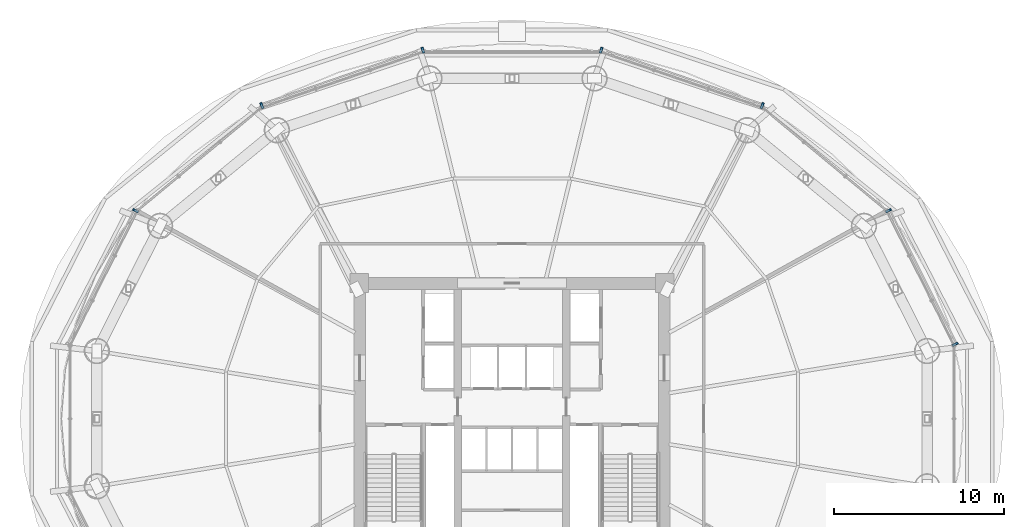
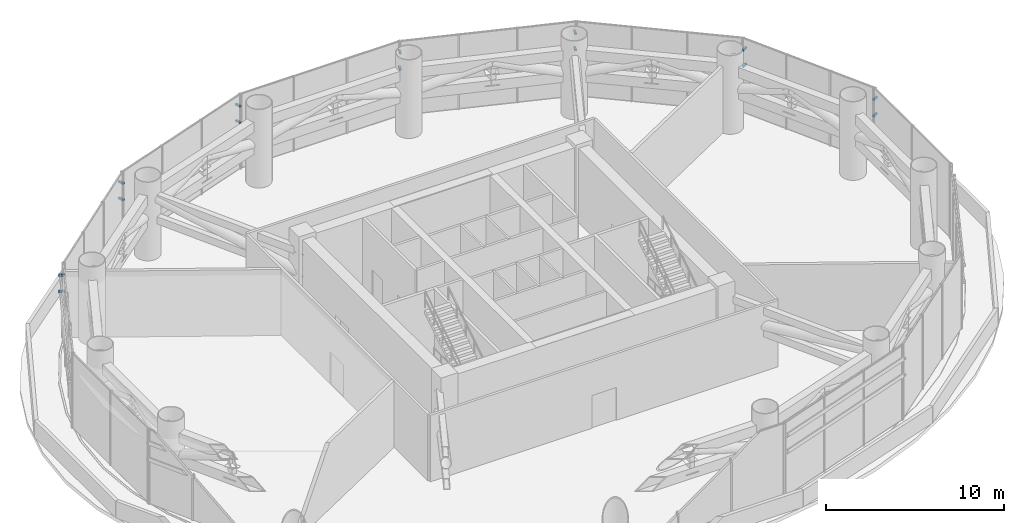
# One storey, part 30 of 33: 14 discrete accessories.
"""IFC4 building model written with IfcOpenShell, lengths in metres."""

import ifcopenshell
import ifcopenshell.guid

model = None  # the IFC model being written
_history = None  # IfcOwnerHistory: only IFC2X3 demands one
_inside = {}  # id of a spatial element -> (the spatial element, [elements in it])
_under = {}  # id of a project, library or spatial element -> (it, [spatial elements below it])
_declared = {}  # id of a project -> (the project, [libraries it declares])
_typed = {}  # id of a type object -> (the type object, [elements of that type])
_made_of = {}  # id of a material, layer set ... -> (it, [elements and type objects made of it])


def new_model(schema):
    """Start an empty IFC model of exactly this schema.

    Asked for "IFC4X3", IfcOpenShell would pick the latest addendum, in which some entities
    have other attributes; the version numbers below select the first issue.
    IFC2X3 requires an IfcOwnerHistory on every rooted entity: one is made here for all.
    """
    global model, _history
    if schema == "IFC4X3":
        model = ifcopenshell.file(schema_version=(4, 3, 0, 0))
    else:
        model = ifcopenshell.file(schema=schema)
    _inside.clear()
    _under.clear()
    _declared.clear()
    _typed.clear()
    _made_of.clear()
    _history = None
    if model.schema == "IFC2X3":
        org = make("IfcOrganization", Name="unknown")
        user = make(
            "IfcPersonAndOrganization",
            ThePerson=make("IfcPerson", FamilyName="unknown"),
            TheOrganization=org,
        )
        app = make(
            "IfcApplication",
            ApplicationDeveloper=org,
            Version="unknown",
            ApplicationFullName="unknown",
            ApplicationIdentifier="unknown",
        )
        _history = make(
            "IfcOwnerHistory",
            OwningUser=user,
            OwningApplication=app,
            ChangeAction="ADDED",
            CreationDate=0,
        )
    return model


def make(cls, **values):
    """One entity of the class cls with the attributes given. An attribute that is None is left unset."""
    return model.create_entity(
        cls, **{name: value for name, value in values.items() if value is not None}
    )


def rooted(cls, **values):
    """An entity with a GlobalId (a new one), such as an element, a storey or a relation."""
    return make(cls, GlobalId=ifcopenshell.guid.new(), OwnerHistory=_history, **values)


def si_unit(unit_type, name, prefix=None):
    """IfcSIUnit, for example si_unit("LENGTHUNIT", "METRE", prefix="MILLI")."""
    return make("IfcSIUnit", UnitType=unit_type, Prefix=prefix, Name=name)


def assignment(units):
    """IfcUnitAssignment: the units of a project."""
    return None if units is None else make("IfcUnitAssignment", Units=units)


def point(xyz):
    """IfcCartesianPoint."""
    return None if xyz is None else make("IfcCartesianPoint", Coordinates=xyz)


def direction(xyz):
    """IfcDirection."""
    return None if xyz is None else make("IfcDirection", DirectionRatios=xyz)


def frame(location, z_axis=None, x_axis=None):
    """IfcAxis2Placement3D, a coordinate frame: its origin and axes. An axis left out is left unset."""
    return make(
        "IfcAxis2Placement3D",
        Location=point(location),
        Axis=direction(z_axis),
        RefDirection=direction(x_axis),
    )


def frame_2d(location, x_axis=None):
    """IfcAxis2Placement2D, a coordinate frame in the plane: its origin and x axis."""
    return make(
        "IfcAxis2Placement2D", Location=point(location), RefDirection=direction(x_axis)
    )


def origin():
    """The frame at (0, 0, 0) with its axes left unset."""
    return frame((0.0, 0.0, 0.0))


def origin_2d():
    """The frame at (0, 0) in the plane with its x axis left unset."""
    return frame_2d((0.0, 0.0))


def place(relative_to, where):
    """IfcLocalPlacement: puts the frame where relative to a parent placement (None: the world)."""
    return make(
        "IfcLocalPlacement", PlacementRelTo=relative_to, RelativePlacement=where
    )


def context(
    kind, dimensions, precision=None, world=None, true_north=None, identifier=None
):
    """IfcGeometricRepresentationContext, for example the 3D "Model" context."""
    return make(
        "IfcGeometricRepresentationContext",
        ContextIdentifier=identifier,
        ContextType=kind,
        CoordinateSpaceDimension=dimensions,
        Precision=precision,
        WorldCoordinateSystem=world,
        TrueNorth=true_north,
    )


def subcontext(parent, identifier, kind, view, scale=None):
    """IfcGeometricRepresentationSubContext, for example "Body" below "Model"."""
    return make(
        "IfcGeometricRepresentationSubContext",
        ContextIdentifier=identifier,
        ContextType=kind,
        ParentContext=parent,
        TargetScale=scale,
        TargetView=view,
    )


def project(units=None, contexts=None):
    """IfcProject with its units and contexts."""
    return rooted(
        "IfcProject",
        Name="project",
        RepresentationContexts=contexts,
        UnitsInContext=assignment(units),
    )


def spatial(cls, under=None, at=None, **own):
    """A site, building, storey or space (cls), placed at a placement, below another one or the project."""
    s = rooted(cls, ObjectPlacement=at, **own)
    if under is not None:
        _under.setdefault(under.id(), (under, []))[1].append(s)
    return s


def profile(cls, at=None, kind="AREA", **sizes):
    """A parametric profile (cls). Its sizes go by their IFC names, for example OverallWidth=200.0."""
    return make(cls, ProfileType=kind, Position=at, **sizes)


def rectangle(**sizes):
    """IfcRectangleProfileDef."""
    return profile("IfcRectangleProfileDef", **sizes)


def extrude(swept, where, along, depth):
    """IfcExtrudedAreaSolid: the profile swept, set in the frame where, extruded along a direction by depth."""
    return make(
        "IfcExtrudedAreaSolid",
        SweptArea=swept,
        Position=where,
        ExtrudedDirection=direction(along),
        Depth=depth,
    )


def shape(context_of_items, identifier, shape_type, items):
    """IfcShapeRepresentation: the items that make up one representation, for example the "Body"."""
    return make(
        "IfcShapeRepresentation",
        ContextOfItems=context_of_items,
        RepresentationIdentifier=identifier,
        RepresentationType=shape_type,
        Items=items,
    )


def source(mapping_origin, context_of_items, identifier, shape_type, items):
    """IfcRepresentationMap: a shape defined once, which mapped items show again and again."""
    return make(
        "IfcRepresentationMap",
        MappingOrigin=mapping_origin,
        MappedRepresentation=shape(context_of_items, identifier, shape_type, items),
    )


def transform(
    local_origin,
    x_axis=None,
    y_axis=None,
    z_axis=None,
    scale=None,
    scale2=None,
    scale3=None,
    uniform=True,
):
    """IfcCartesianTransformationOperator3D, or its non-uniform kind. x_axis, y_axis, z_axis: its Axis1, 2, 3."""
    if uniform:
        return make(
            "IfcCartesianTransformationOperator3D",
            Axis1=direction(x_axis),
            Axis2=direction(y_axis),
            LocalOrigin=point(local_origin),
            Scale=scale,
            Axis3=direction(z_axis),
        )
    return make(
        "IfcCartesianTransformationOperator3DnonUniform",
        Axis1=direction(x_axis),
        Axis2=direction(y_axis),
        LocalOrigin=point(local_origin),
        Scale=scale,
        Axis3=direction(z_axis),
        Scale2=scale2,
        Scale3=scale3,
    )


def mapped(mapping_source, mapping_target):
    """IfcMappedItem: shows the shape of a source again, moved by a transform."""
    return make(
        "IfcMappedItem", MappingSource=mapping_source, MappingTarget=mapping_target
    )


def material(Name=None, Category=None):
    """IfcMaterial."""
    return make("IfcMaterial", Name=Name, Category=Category)


def layer(
    of_material, thickness, ventilated=None, Name=None, Category=None, Priority=None
):
    """IfcMaterialLayer: one layer of a wall or slab, of a material (None: an air gap)."""
    return make(
        "IfcMaterialLayer",
        Material=of_material,
        LayerThickness=thickness,
        IsVentilated=ventilated,
        Name=Name,
        Category=Category,
        Priority=Priority,
    )


def layer_set(layers, Name=None):
    """IfcMaterialLayerSet."""
    return make("IfcMaterialLayerSet", MaterialLayers=layers, LayerSetName=Name)


def made_of(thing, what):
    """Note that an element or type object is made of a material, layer set ...; save() writes the relation."""
    if what is not None:
        _made_of.setdefault(what.id(), (what, []))[1].append(thing)
    return thing


def type_object(cls, material=None, **own):
    """A type object (cls), such as IfcWallType, which elements share."""
    return made_of(rooted(cls, **own), material)


def element(
    cls,
    number,
    at=None,
    inside=None,
    cuts=None,
    type_object=None,
    material=None,
    context=None,
    identifier="Body",
    shape_type=None,
    held_by="IfcProductDefinitionShape",
    body=None,
    shapes=None,
    **own,
):
    """One element of the class cls, such as IfcWall. Its Tag is "e" and its number.

    at: its placement. inside: the storey or other place that contains it. cuts: it is an
    opening in that element (IfcRelVoidsElement). A single representation is given by context,
    identifier, shape_type and body (its items); several are given by shapes. held_by: the class
    of the entity that holds the representations. save() writes the other relations.
    """
    e = rooted(cls, Tag="e%d" % number, ObjectPlacement=at, **own)
    if body is not None:
        shapes = [shape(context, identifier, shape_type, body)]
    if shapes is not None:
        e.Representation = make(held_by, Representations=shapes)
    if inside is not None:
        _inside.setdefault(inside.id(), (inside, []))[1].append(e)
    if cuts is not None:
        rooted(
            "IfcRelVoidsElement", RelatingBuildingElement=cuts, RelatedOpeningElement=e
        )
    if type_object is not None:
        _typed.setdefault(type_object.id(), (type_object, []))[1].append(e)
    return made_of(e, material)


def aggregate(whole, parts):
    """IfcRelAggregates: a whole, such as a stair, and the parts it consists of."""
    return rooted("IfcRelAggregates", RelatingObject=whole, RelatedObjects=parts)


def save(model, path):
    """Write the relations noted so far, then the file.

    IfcRelAggregates (storeys below a building ...), IfcRelContainedInSpatialStructure (elements
    in a storey), IfcRelDefinesByType, IfcRelAssociatesMaterial and IfcRelDeclares: one each for
    every whole, place, type object, material and project.
    """
    for whole, parts in _under.values():
        aggregate(whole, parts)
    for where, things in _inside.values():
        rooted(
            "IfcRelContainedInSpatialStructure",
            RelatedElements=things,
            RelatingStructure=where,
        )
    for kind, things in _typed.values():
        rooted("IfcRelDefinesByType", RelatedObjects=things, RelatingType=kind)
    for what, things in _made_of.values():
        rooted("IfcRelAssociatesMaterial", RelatedObjects=things, RelatingMaterial=what)
    for by, libraries in _declared.values():
        rooted("IfcRelDeclares", RelatingContext=by, RelatedDefinitions=libraries)
    model.write(path)


model = new_model("IFC4")

# Units and contexts
model_context = context("Model", 3, precision=1e-05, world=origin(), true_north=direction((-0.2419218956, 0.970295726276)))
body_context = subcontext(model_context, "Body", "Model", "MODEL_VIEW")
ifc_project = project(units=[si_unit("LENGTHUNIT", "METRE"), si_unit("AREAUNIT", "SQUARE_METRE"), si_unit("VOLUMEUNIT", "CUBIC_METRE"), si_unit("PLANEANGLEUNIT", "RADIAN"), si_unit("MASSUNIT", "GRAM", prefix="KILO")], contexts=[model_context])

# Site, building, storey
site_placement = place(None, origin())
site = spatial("IfcSite", under=ifc_project, at=site_placement, CompositionType="ELEMENT")
building_placement = place(site_placement, origin())
building = spatial("IfcBuilding", under=site, at=building_placement, Name="Cobrevalo Terracotta Tower", CompositionType="ELEMENT")
storey_placement = place(building_placement, frame((0.0, 0.0, 74.39990234375)))
storey = spatial("IfcBuildingStorey", under=building, at=storey_placement, Name="L19", CompositionType="ELEMENT", Elevation=74.39990234375)

# Discrete accessories
ifc_material = material(Name="Brushed stainless steel", Category="steel")
ifc_layer = layer(ifc_material, 0.1201171875)
ifc_layer_set = layer_set([ifc_layer], Name="Brushed stainless steel")
discrete_accessory_type = type_object("IfcDiscreteAccessoryType", Name="Stainless Steel Facade & Canopy Support Bracket", PredefinedType="BRACKET", material=ifc_layer_set)
shared_shape = source(origin(), body_context, "Body", "SweptSolid", [
    extrude(rectangle(XDim=0.1201171875, YDim=0.360107421875, at=origin_2d()), origin(), (0.0, 0.0, 1.0), 0.1201171875),
])
for number, where, z_axis, x_axis, name in (
    (1, (64.1220703125, 31.181640625, 3.117431640625), (0.0, 0.0, 1.0), (-0.446261852127, 0.894902430065, 0.0), "CW-LV-L19-S01 stainless baguette support bracket 1-A"),
    (2, (60.1904296875, 39.06591796875, 3.117431640625), (0.0, 0.0, 1.0), (-0.446261852127, 0.894902430065, 0.0), "CW-LV-L19-S01 stainless baguette support bracket 1-B"),
    (3, (64.1220703125, 31.181640625, 4.2451171875), (0.0, 0.0, 1.0), (-0.446261852127, 0.894902430065, 0.0), "CW-LV-L19-S01 stainless baguette support bracket 2-A"),
    (4, (60.1904296875, 39.06591796875, 4.2451171875), (0.0, 0.0, 1.0), (-0.446261852127, 0.894902430065, 0.0), "CW-LV-L19-S01 stainless baguette support bracket 2-B"),
    (5, (52.7529296875, 45.24853515625, 3.117431640625), (0.0, 0.0, 1.0), (-0.945596395206, 0.325342062104, 0.0), "CW-LV-L19-S03 stainless baguette support bracket 1-A"),
    (6, (43.250732421875, 48.51806640625, 3.117431640625), (0.0, 0.0, 1.0), (-0.945596395206, 0.325342062104, 0.0), "CW-LV-L19-S03 stainless baguette support bracket 1-B"),
    (7, (52.7529296875, 45.24853515625, 4.2451171875), (0.0, 0.0, 1.0), (-0.945596395206, 0.325342062104, 0.0), "CW-LV-L19-S03 stainless baguette support bracket 2-A"),
    (8, (43.250732421875, 48.51806640625, 4.2451171875), (0.0, 0.0, 1.0), (-0.945596395206, 0.325342062104, 0.0), "CW-LV-L19-S03 stainless baguette support bracket 2-B"),
    (9, (32.749267578125, 48.51806640625, 3.117431640625), (0.0, 0.0, 1.0), (-0.945596395206, -0.325342062104, 0.0), "CW-LV-L19-S05 stainless baguette support bracket 1-A"),
    (10, (23.2470703125, 45.24853515625, 3.117431640625), (0.0, 0.0, 1.0), (-0.945596395206, -0.325342062104, 0.0), "CW-LV-L19-S05 stainless baguette support bracket 1-B"),
    (11, (32.749267578125, 48.51806640625, 4.2451171875), (0.0, 0.0, 1.0), (-0.945596395206, -0.325342062104, 0.0), "CW-LV-L19-S05 stainless baguette support bracket 2-A"),
    (12, (23.2470703125, 45.24853515625, 4.2451171875), (0.0, 0.0, 1.0), (-0.945596395206, -0.325342062104, 0.0), "CW-LV-L19-S05 stainless baguette support bracket 2-B"),
    (13, (15.8095703125, 39.06591796875, 3.117431640625), (0.0, 0.0, 1.0), (-0.446261852127, -0.894902430065, 0.0), "CW-LV-L19-S07 stainless baguette support bracket 1-A"),
    (14, (15.8095703125, 39.06591796875, 4.2451171875), (0.0, 0.0, 1.0), (-0.446261852127, -0.894902430065, 0.0), "CW-LV-L19-S07 stainless baguette support bracket 2-A"),
):
    element("IfcDiscreteAccessory", number, at=place(storey_placement, frame(where, z_axis=z_axis, x_axis=x_axis)), inside=storey, type_object=discrete_accessory_type, Name=name, PredefinedType="BRACKET", context=body_context, shape_type="MappedRepresentation", body=[
        mapped(shared_shape, transform((0.0, 0.0, 0.0), scale=1.0)),
    ])

save(model, "model.ifc")
